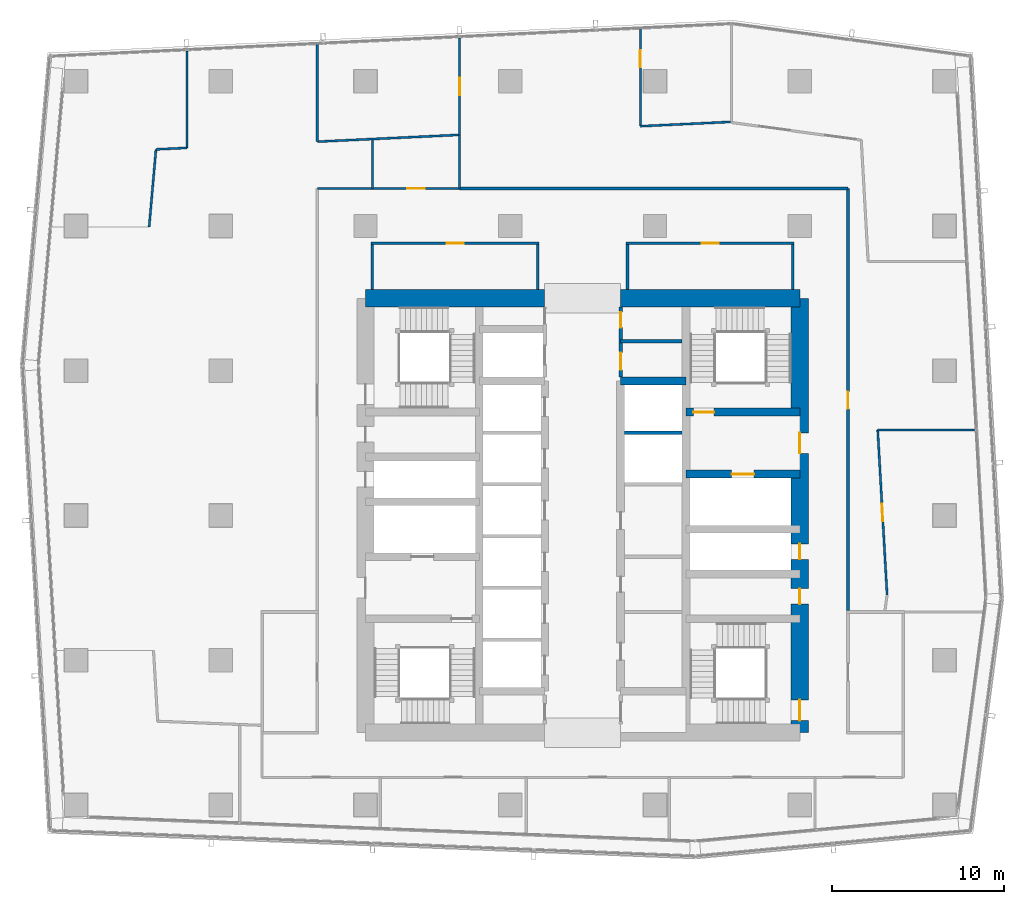
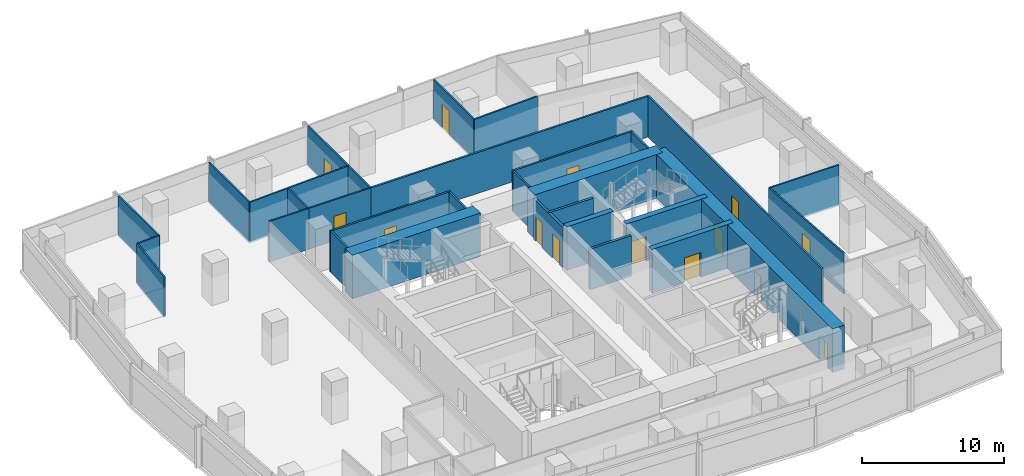
# One storey, part 29 of 40: 31 walls, 15 doors, 15 openings.
"""IFC4 building model written with IfcOpenShell, lengths in metres."""

import ifcopenshell
import ifcopenshell.guid

model = None  # the IFC model being written
_history = None  # IfcOwnerHistory: only IFC2X3 demands one
_inside = {}  # id of a spatial element -> (the spatial element, [elements in it])
_under = {}  # id of a project, library or spatial element -> (it, [spatial elements below it])
_declared = {}  # id of a project -> (the project, [libraries it declares])
_typed = {}  # id of a type object -> (the type object, [elements of that type])
_made_of = {}  # id of a material, layer set ... -> (it, [elements and type objects made of it])


def new_model(schema):
    """Start an empty IFC model of exactly this schema.

    Asked for "IFC4X3", IfcOpenShell would pick the latest addendum, in which some entities
    have other attributes; the version numbers below select the first issue.
    IFC2X3 requires an IfcOwnerHistory on every rooted entity: one is made here for all.
    """
    global model, _history
    if schema == "IFC4X3":
        model = ifcopenshell.file(schema_version=(4, 3, 0, 0))
    else:
        model = ifcopenshell.file(schema=schema)
    _inside.clear()
    _under.clear()
    _declared.clear()
    _typed.clear()
    _made_of.clear()
    _history = None
    if model.schema == "IFC2X3":
        org = make("IfcOrganization", Name="unknown")
        user = make(
            "IfcPersonAndOrganization",
            ThePerson=make("IfcPerson", FamilyName="unknown"),
            TheOrganization=org,
        )
        app = make(
            "IfcApplication",
            ApplicationDeveloper=org,
            Version="unknown",
            ApplicationFullName="unknown",
            ApplicationIdentifier="unknown",
        )
        _history = make(
            "IfcOwnerHistory",
            OwningUser=user,
            OwningApplication=app,
            ChangeAction="ADDED",
            CreationDate=0,
        )
    return model


def make(cls, **values):
    """One entity of the class cls with the attributes given. An attribute that is None is left unset."""
    return model.create_entity(
        cls, **{name: value for name, value in values.items() if value is not None}
    )


def rooted(cls, **values):
    """An entity with a GlobalId (a new one), such as an element, a storey or a relation."""
    return make(cls, GlobalId=ifcopenshell.guid.new(), OwnerHistory=_history, **values)


def si_unit(unit_type, name, prefix=None):
    """IfcSIUnit, for example si_unit("LENGTHUNIT", "METRE", prefix="MILLI")."""
    return make("IfcSIUnit", UnitType=unit_type, Prefix=prefix, Name=name)


def assignment(units):
    """IfcUnitAssignment: the units of a project."""
    return None if units is None else make("IfcUnitAssignment", Units=units)


def point(xyz):
    """IfcCartesianPoint."""
    return None if xyz is None else make("IfcCartesianPoint", Coordinates=xyz)


def direction(xyz):
    """IfcDirection."""
    return None if xyz is None else make("IfcDirection", DirectionRatios=xyz)


def frame(location, z_axis=None, x_axis=None):
    """IfcAxis2Placement3D, a coordinate frame: its origin and axes. An axis left out is left unset."""
    return make(
        "IfcAxis2Placement3D",
        Location=point(location),
        Axis=direction(z_axis),
        RefDirection=direction(x_axis),
    )


def frame_2d(location, x_axis=None):
    """IfcAxis2Placement2D, a coordinate frame in the plane: its origin and x axis."""
    return make(
        "IfcAxis2Placement2D", Location=point(location), RefDirection=direction(x_axis)
    )


def origin():
    """The frame at (0, 0, 0) with its axes left unset."""
    return frame((0.0, 0.0, 0.0))


def place(relative_to, where):
    """IfcLocalPlacement: puts the frame where relative to a parent placement (None: the world)."""
    return make(
        "IfcLocalPlacement", PlacementRelTo=relative_to, RelativePlacement=where
    )


def context(
    kind, dimensions, precision=None, world=None, true_north=None, identifier=None
):
    """IfcGeometricRepresentationContext, for example the 3D "Model" context."""
    return make(
        "IfcGeometricRepresentationContext",
        ContextIdentifier=identifier,
        ContextType=kind,
        CoordinateSpaceDimension=dimensions,
        Precision=precision,
        WorldCoordinateSystem=world,
        TrueNorth=true_north,
    )


def subcontext(parent, identifier, kind, view, scale=None):
    """IfcGeometricRepresentationSubContext, for example "Body" below "Model"."""
    return make(
        "IfcGeometricRepresentationSubContext",
        ContextIdentifier=identifier,
        ContextType=kind,
        ParentContext=parent,
        TargetScale=scale,
        TargetView=view,
    )


def project(units=None, contexts=None):
    """IfcProject with its units and contexts."""
    return rooted(
        "IfcProject",
        Name="project",
        RepresentationContexts=contexts,
        UnitsInContext=assignment(units),
    )


def spatial(cls, under=None, at=None, **own):
    """A site, building, storey or space (cls), placed at a placement, below another one or the project."""
    s = rooted(cls, ObjectPlacement=at, **own)
    if under is not None:
        _under.setdefault(under.id(), (under, []))[1].append(s)
    return s


def profile(cls, at=None, kind="AREA", **sizes):
    """A parametric profile (cls). Its sizes go by their IFC names, for example OverallWidth=200.0."""
    return make(cls, ProfileType=kind, Position=at, **sizes)


def rectangle(**sizes):
    """IfcRectangleProfileDef."""
    return profile("IfcRectangleProfileDef", **sizes)


def extrude(swept, where, along, depth):
    """IfcExtrudedAreaSolid: the profile swept, set in the frame where, extruded along a direction by depth."""
    return make(
        "IfcExtrudedAreaSolid",
        SweptArea=swept,
        Position=where,
        ExtrudedDirection=direction(along),
        Depth=depth,
    )


def shape(context_of_items, identifier, shape_type, items):
    """IfcShapeRepresentation: the items that make up one representation, for example the "Body"."""
    return make(
        "IfcShapeRepresentation",
        ContextOfItems=context_of_items,
        RepresentationIdentifier=identifier,
        RepresentationType=shape_type,
        Items=items,
    )


def material(Name=None, Category=None):
    """IfcMaterial."""
    return make("IfcMaterial", Name=Name, Category=Category)


def layer(
    of_material, thickness, ventilated=None, Name=None, Category=None, Priority=None
):
    """IfcMaterialLayer: one layer of a wall or slab, of a material (None: an air gap)."""
    return make(
        "IfcMaterialLayer",
        Material=of_material,
        LayerThickness=thickness,
        IsVentilated=ventilated,
        Name=Name,
        Category=Category,
        Priority=Priority,
    )


def layer_set(layers, Name=None):
    """IfcMaterialLayerSet."""
    return make("IfcMaterialLayerSet", MaterialLayers=layers, LayerSetName=Name)


def made_of(thing, what):
    """Note that an element or type object is made of a material, layer set ...; save() writes the relation."""
    if what is not None:
        _made_of.setdefault(what.id(), (what, []))[1].append(thing)
    return thing


def type_object(cls, material=None, **own):
    """A type object (cls), such as IfcWallType, which elements share."""
    return made_of(rooted(cls, **own), material)


def element(
    cls,
    number,
    at=None,
    inside=None,
    cuts=None,
    type_object=None,
    material=None,
    context=None,
    identifier="Body",
    shape_type=None,
    held_by="IfcProductDefinitionShape",
    body=None,
    shapes=None,
    **own,
):
    """One element of the class cls, such as IfcWall. Its Tag is "e" and its number.

    at: its placement. inside: the storey or other place that contains it. cuts: it is an
    opening in that element (IfcRelVoidsElement). A single representation is given by context,
    identifier, shape_type and body (its items); several are given by shapes. held_by: the class
    of the entity that holds the representations. save() writes the other relations.
    """
    e = rooted(cls, Tag="e%d" % number, ObjectPlacement=at, **own)
    if body is not None:
        shapes = [shape(context, identifier, shape_type, body)]
    if shapes is not None:
        e.Representation = make(held_by, Representations=shapes)
    if inside is not None:
        _inside.setdefault(inside.id(), (inside, []))[1].append(e)
    if cuts is not None:
        rooted(
            "IfcRelVoidsElement", RelatingBuildingElement=cuts, RelatedOpeningElement=e
        )
    if type_object is not None:
        _typed.setdefault(type_object.id(), (type_object, []))[1].append(e)
    return made_of(e, material)


def fill(opening, filler):
    """IfcRelFillsElement: the door or window that sits in an opening."""
    return rooted(
        "IfcRelFillsElement",
        RelatingOpeningElement=opening,
        RelatedBuildingElement=filler,
    )


def aggregate(whole, parts):
    """IfcRelAggregates: a whole, such as a stair, and the parts it consists of."""
    return rooted("IfcRelAggregates", RelatingObject=whole, RelatedObjects=parts)


def save(model, path):
    """Write the relations noted so far, then the file.

    IfcRelAggregates (storeys below a building ...), IfcRelContainedInSpatialStructure (elements
    in a storey), IfcRelDefinesByType, IfcRelAssociatesMaterial and IfcRelDeclares: one each for
    every whole, place, type object, material and project.
    """
    for whole, parts in _under.values():
        aggregate(whole, parts)
    for where, things in _inside.values():
        rooted(
            "IfcRelContainedInSpatialStructure",
            RelatedElements=things,
            RelatingStructure=where,
        )
    for kind, things in _typed.values():
        rooted("IfcRelDefinesByType", RelatedObjects=things, RelatingType=kind)
    for what, things in _made_of.values():
        rooted("IfcRelAssociatesMaterial", RelatedObjects=things, RelatingMaterial=what)
    for by, libraries in _declared.values():
        rooted("IfcRelDeclares", RelatingContext=by, RelatedDefinitions=libraries)
    model.write(path)


model = new_model("IFC4")

# Units and contexts
model_context = context("Model", 3, precision=1e-05, world=origin(), true_north=direction((0.0, 1.0)))
body_context = subcontext(model_context, "Body", "Model", "MODEL_VIEW")
ifc_project = project(units=[si_unit("LENGTHUNIT", "METRE"), si_unit("AREAUNIT", "SQUARE_METRE"), si_unit("VOLUMEUNIT", "CUBIC_METRE"), si_unit("PLANEANGLEUNIT", "RADIAN"), si_unit("MASSUNIT", "GRAM", prefix="KILO")], contexts=[model_context])

# Site, building, storey
site_placement = place(None, origin())
site = spatial("IfcSite", under=ifc_project, at=site_placement, CompositionType="ELEMENT")
building_placement = place(site_placement, origin())
building = spatial("IfcBuilding", under=site, at=building_placement, Name="Rekha Terrace Tower", CompositionType="ELEMENT")
storey_placement = place(building_placement, frame((0.0, 0.0, 213.949951171875)))
storey = spatial("IfcBuildingStorey", under=building, at=storey_placement, Name="L54", CompositionType="ELEMENT", Elevation=213.949951171875)

# Wall
ifc_material_1 = material(Name="Concrete M60", Category="concrete")
ifc_layer_1 = layer(ifc_material_1, 0.449951171875)
ifc_layer_set_1 = layer_set([ifc_layer_1], Name="Concrete M60")
wall_type_1 = type_object("IfcWallType", Name="CI3 450 core internal shear wall", PredefinedType="SHEAR", material=ifc_layer_set_1)
wall_1_placement = place(storey_placement, frame((40.0, 41.39990234375, 0.0), z_axis=(0.0, 0.0, 1.0), x_axis=(1.0, 0.0, 0.0)))
element("IfcWall", 1, at=wall_1_placement, inside=storey, type_object=wall_type_1, Name="Core wall Y414E L54", PredefinedType="SHEAR", context=body_context, shape_type="SweptSolid", body=[
    extrude(rectangle(XDim=3.800048828125, YDim=0.449951171875, at=frame_2d((1.89990234375, 0.0))), origin(), (0.0, 0.0, 1.0), 3.75),
])

# Wall, opening, door
wall_2_placement = place(storey_placement, frame((43.800048828125, 36.0, 0.0), z_axis=(0.0, 0.0, 1.0), x_axis=(1.0, 0.0, 0.0)))
wall_2 = element("IfcWall", 2, at=wall_2_placement, inside=storey, type_object=wall_type_1, Name="Core wall Y360E L54", PredefinedType="SHEAR", context=body_context, shape_type="SweptSolid", body=[
    extrude(rectangle(XDim=6.599853515625, YDim=0.449951171875, at=frame_2d((3.2998046875, 0.0))), origin(), (0.0, 0.0, 1.0), 3.75),
])
opening_1_placement = place(wall_2_placement, frame((2.64990234375, 0.0, 0.0)))
opening_1 = element("IfcOpeningElement", 3, at=opening_1_placement, cuts=wall_2, Name="Opening LD2", PredefinedType="OPENING", context=body_context, shape_type="SweptSolid", body=[
    extrude(rectangle(XDim=1.300048828125, YDim=2.10009765625, at=frame_2d((0.64990234375, 1.050048828125))), frame((0.0, 0.23486328125, 0.0), z_axis=(0.0, -1.0, 0.0), x_axis=(1.0, 0.0, 0.0)), (0.0, 0.0, 1.0), 0.469970703125),
])
ifc_material_2 = material(Name="Stainless steel sliding landing door", Category="steel")
door_type_1 = type_object("IfcDoorType", Name="LD2 1300x2100 fire lift landing door", OperationType="SLIDING_TO_LEFT", PredefinedType="USERDEFINED", material=ifc_material_2)
door_1_placement = place(opening_1_placement, origin())
door_1 = element("IfcDoor", 4, at=door_1_placement, inside=storey, type_object=door_type_1, Name="Lift FL2 landing door L54", ObjectType="LIFT LANDING DOOR", OperationType="SLIDING_TO_LEFT", OverallHeight=2.10009765625, OverallWidth=1.300048828125, PredefinedType="USERDEFINED", context=body_context, shape_type="SweptSolid", body=[
    extrude(rectangle(XDim=1.300048828125, YDim=2.10009765625, at=frame_2d((0.64990234375, 1.050048828125))), frame((0.0, 0.02490234375, 0.0), z_axis=(0.0, -1.0, 0.0), x_axis=(1.0, 0.0, 0.0)), (0.0, 0.0, 1.0), 0.050048828125),
])
fill(opening_1, door_1)

wall_3_placement = place(storey_placement, frame((43.800048828125, 39.60009765625, 0.0), z_axis=(0.0, 0.0, 1.0), x_axis=(1.0, 0.0, 0.0)))
wall_3 = element("IfcWall", 5, at=wall_3_placement, inside=storey, type_object=wall_type_1, Name="Core wall Y396E L54", PredefinedType="SHEAR", context=body_context, shape_type="SweptSolid", body=[
    extrude(rectangle(XDim=6.599853515625, YDim=0.449951171875, at=frame_2d((3.2998046875, 0.0))), origin(), (0.0, 0.0, 1.0), 3.75),
])
opening_2_placement = place(wall_3_placement, frame((0.425048828125, 0.0, 0.0)))
opening_2 = element("IfcOpeningElement", 6, at=opening_2_placement, cuts=wall_3, Name="Opening D1", PredefinedType="OPENING", context=body_context, shape_type="SweptSolid", body=[
    extrude(rectangle(XDim=1.199951171875, YDim=2.10009765625, at=frame_2d((0.60009765625, 1.050048828125))), frame((0.0, 0.23486328125, 0.0), z_axis=(0.0, -1.0, 0.0), x_axis=(1.0, 0.0, 0.0)), (0.0, 0.0, 1.0), 0.469970703125),
])
ifc_material_3 = material(Name="Steel fire door", Category="steel")
door_type_2 = type_object("IfcDoorType", Name="D1 1200x2100 stair fire door", OperationType="SINGLE_SWING_RIGHT", PredefinedType="DOOR", material=ifc_material_3)
door_2_placement = place(opening_2_placement, origin())
door_2 = element("IfcDoor", 7, at=door_2_placement, inside=storey, type_object=door_type_2, Name="Stair ST2 door L54", OperationType="SINGLE_SWING_RIGHT", OverallHeight=2.10009765625, OverallWidth=1.199951171875, PredefinedType="DOOR", context=body_context, shape_type="SweptSolid", body=[
    extrude(rectangle(XDim=1.199951171875, YDim=2.10009765625, at=frame_2d((0.60009765625, 1.050048828125))), frame((0.0, 0.02490234375, 0.0), z_axis=(0.0, -1.0, 0.0), x_axis=(1.0, 0.0, 0.0)), (0.0, 0.0, 1.0), 0.050048828125),
])
fill(opening_2, door_2)

# Walls
ifc_layer_2 = layer(ifc_material_1, 1.0)
ifc_layer_set_2 = layer_set([ifc_layer_2], Name="Concrete M60")
wall_type_2 = type_object("IfcWallType", Name="SW3 1000 core outer shear wall", PredefinedType="SHEAR", material=ifc_layer_set_2)
wall_4_placement = place(storey_placement, frame((25.199951171875, 46.199951171875, 0.0), z_axis=(0.0, 0.0, 1.0), x_axis=(1.0, 0.0, 0.0)))
element("IfcWall", 8, at=wall_4_placement, inside=storey, type_object=wall_type_2, Name="Core wall N1 L54", PredefinedType="SHEAR", context=body_context, shape_type="SweptSolid", body=[
    extrude(rectangle(XDim=10.400146484375, YDim=1.0, at=frame_2d((5.2001953125, 0.0))), origin(), (0.0, 0.0, 1.0), 3.75),
])
wall_5_placement = place(storey_placement, frame((40.0, 46.199951171875, 0.0), z_axis=(0.0, 0.0, 1.0), x_axis=(1.0, 0.0, 0.0)))
element("IfcWall", 9, at=wall_5_placement, inside=storey, type_object=wall_type_2, Name="Core wall N2 L54", PredefinedType="SHEAR", context=body_context, shape_type="SweptSolid", body=[
    extrude(rectangle(XDim=10.39990234375, YDim=1.0, at=frame_2d((5.199951171875, 0.0))), origin(), (0.0, 0.0, 1.0), 3.75),
])

# Wall, openings, doors
wall_6_placement = place(storey_placement, frame((50.39990234375, 21.0, 0.0), z_axis=(0.0, 0.0, 1.0), x_axis=(0.0, 1.0, 0.0)))
wall_6 = element("IfcWall", 10, at=wall_6_placement, inside=storey, type_object=wall_type_2, Name="Core wall E L54", PredefinedType="SHEAR", context=body_context, shape_type="SweptSolid", body=[
    extrude(rectangle(XDim=25.199951171875, YDim=1.0, at=frame_2d((12.60009765625, 0.0))), origin(), (0.0, 0.0, 1.0), 3.75),
])
opening_3_placement = place(wall_6_placement, frame((16.199951171875, 0.0, 0.0)))
opening_3 = element("IfcOpeningElement", 11, at=opening_3_placement, cuts=wall_6, Name="Opening D2", PredefinedType="OPENING", context=body_context, shape_type="SweptSolid", body=[
    extrude(rectangle(XDim=1.199951171875, YDim=2.10009765625, at=frame_2d((0.60009765625, 1.050048828125))), frame((0.0, 0.510009765625, 0.0), z_axis=(0.0, -1.0, 0.0), x_axis=(1.0, 0.0, 0.0)), (0.0, 0.0, 1.0), 1.02001953125),
])
opening_4_placement = place(wall_6_placement, frame((10.050048828125, 0.0, 0.0)))
opening_4 = element("IfcOpeningElement", 12, at=opening_4_placement, cuts=wall_6, Name="Opening D5", PredefinedType="OPENING", context=body_context, shape_type="SweptSolid", body=[
    extrude(rectangle(XDim=0.89990234375, YDim=2.10009765625, at=frame_2d((0.449951171875, 1.050048828125))), frame((0.0, 0.510009765625, 0.0), z_axis=(0.0, -1.0, 0.0), x_axis=(1.0, 0.0, 0.0)), (0.0, 0.0, 1.0), 1.02001953125),
])
opening_5_placement = place(wall_6_placement, frame((7.449951171875, 0.0, 0.0)))
opening_5 = element("IfcOpeningElement", 13, at=opening_5_placement, cuts=wall_6, Name="Opening D5", PredefinedType="OPENING", context=body_context, shape_type="SweptSolid", body=[
    extrude(rectangle(XDim=0.89990234375, YDim=2.10009765625, at=frame_2d((0.449951171875, 1.050048828125))), frame((0.0, 0.510009765625, 0.0), z_axis=(0.0, -1.0, 0.0), x_axis=(1.0, 0.0, 0.0)), (0.0, 0.0, 1.0), 1.02001953125),
])
opening_6_placement = place(wall_6_placement, frame((0.699951171875, 0.0, 0.0)))
opening_6 = element("IfcOpeningElement", 14, at=opening_6_placement, cuts=wall_6, Name="Opening D1", PredefinedType="OPENING", context=body_context, shape_type="SweptSolid", body=[
    extrude(rectangle(XDim=1.199951171875, YDim=2.10009765625, at=frame_2d((0.60009765625, 1.050048828125))), frame((0.0, 0.510009765625, 0.0), z_axis=(0.0, -1.0, 0.0), x_axis=(1.0, 0.0, 0.0)), (0.0, 0.0, 1.0), 1.02001953125),
])
door_3_placement = place(opening_6_placement, origin())
door_3 = element("IfcDoor", 15, at=door_3_placement, inside=storey, type_object=door_type_2, Name="Stair ST3 door L54", OperationType="SINGLE_SWING_RIGHT", OverallHeight=2.10009765625, OverallWidth=1.199951171875, PredefinedType="DOOR", context=body_context, shape_type="SweptSolid", body=[
    extrude(rectangle(XDim=1.199951171875, YDim=2.10009765625, at=frame_2d((0.60009765625, 1.050048828125))), frame((0.0, 0.02490234375, 0.0), z_axis=(0.0, -1.0, 0.0), x_axis=(1.0, 0.0, 0.0)), (0.0, 0.0, 1.0), 0.050048828125),
])
fill(opening_6, door_3)
door_type_3 = type_object("IfcDoorType", Name="D2 1200x2100 firefighting lobby door", OperationType="SINGLE_SWING_LEFT", PredefinedType="DOOR", material=ifc_material_3)
door_4_placement = place(opening_3_placement, origin())
door_4 = element("IfcDoor", 16, at=door_4_placement, inside=storey, type_object=door_type_3, Name="Door flb2 L54", OperationType="SINGLE_SWING_LEFT", OverallHeight=2.10009765625, OverallWidth=1.199951171875, PredefinedType="DOOR", context=body_context, shape_type="SweptSolid", body=[
    extrude(rectangle(XDim=1.199951171875, YDim=2.10009765625, at=frame_2d((0.60009765625, 1.050048828125))), frame((0.0, 0.02490234375, 0.0), z_axis=(0.0, -1.0, 0.0), x_axis=(1.0, 0.0, 0.0)), (0.0, 0.0, 1.0), 0.050048828125),
])
fill(opening_3, door_4)
door_type_4 = type_object("IfcDoorType", Name="D5 900x2100 riser access door", OperationType="SINGLE_SWING_LEFT", PredefinedType="DOOR", material=ifc_material_3)
door_5_placement = place(opening_4_placement, origin())
door_5 = element("IfcDoor", 17, at=door_5_placement, inside=storey, type_object=door_type_4, Name="Door rs2 L54", OperationType="SINGLE_SWING_LEFT", OverallHeight=2.10009765625, OverallWidth=0.89990234375, PredefinedType="DOOR", context=body_context, shape_type="SweptSolid", body=[
    extrude(rectangle(XDim=0.89990234375, YDim=2.10009765625, at=frame_2d((0.449951171875, 1.050048828125))), frame((0.0, 0.02490234375, 0.0), z_axis=(0.0, -1.0, 0.0), x_axis=(1.0, 0.0, 0.0)), (0.0, 0.0, 1.0), 0.050048828125),
])
fill(opening_4, door_5)
door_6_placement = place(opening_5_placement, origin())
door_6 = element("IfcDoor", 18, at=door_6_placement, inside=storey, type_object=door_type_4, Name="Door ele L54", OperationType="SINGLE_SWING_LEFT", OverallHeight=2.10009765625, OverallWidth=0.89990234375, PredefinedType="DOOR", context=body_context, shape_type="SweptSolid", body=[
    extrude(rectangle(XDim=0.89990234375, YDim=2.10009765625, at=frame_2d((0.449951171875, 1.050048828125))), frame((0.0, 0.02490234375, 0.0), z_axis=(0.0, -1.0, 0.0), x_axis=(1.0, 0.0, 0.0)), (0.0, 0.0, 1.0), 0.050048828125),
])
fill(opening_5, door_6)

# Wall, opening, door
ifc_material_4 = material(Name="Concrete block masonry, 1 hour", Category="masonry")
ifc_layer_3 = layer(ifc_material_4, 0.14990234375)
ifc_layer_set_3 = layer_set([ifc_layer_3], Name="Concrete block masonry, 1 hour")
wall_type_3 = type_object("IfcWallType", Name="WP2 150 tenancy partition", PredefinedType="PARTITIONING", material=ifc_layer_set_3)
wall_7_placement = place(storey_placement, frame((40.324951171875, 49.39990234375, 0.0), z_axis=(0.0, 0.0, 1.0), x_axis=(1.0, 0.0, 0.0)))
wall_7 = element("IfcWall", 19, at=wall_7_placement, inside=storey, type_object=wall_type_3, Name="Women's WC wall L54", PredefinedType="PARTITIONING", context=body_context, shape_type="SweptSolid", body=[
    extrude(rectangle(XDim=9.75, YDim=0.14990234375, at=frame_2d((4.875, 0.0))), origin(), (0.0, 0.0, 1.0), 3.5),
])
opening_7_placement = place(wall_7_placement, frame((4.375, 0.0, 0.0)))
opening_7 = element("IfcOpeningElement", 20, at=opening_7_placement, cuts=wall_7, Name="Opening D3", PredefinedType="OPENING", context=body_context, shape_type="SweptSolid", body=[
    extrude(rectangle(XDim=1.0, YDim=2.10009765625, at=frame_2d((0.5, 1.050048828125))), frame((0.0, 0.0849609375, 0.0), z_axis=(0.0, -1.0, 0.0), x_axis=(1.0, 0.0, 0.0)), (0.0, 0.0, 1.0), 0.169921875),
])
ifc_material_5 = material(Name="Laminated timber fire door", Category="wood")
door_type_5 = type_object("IfcDoorType", Name="D3 1000x2100 WC door", OperationType="SINGLE_SWING_LEFT", PredefinedType="DOOR", material=ifc_material_5)
door_7_placement = place(opening_7_placement, origin())
door_7 = element("IfcDoor", 21, at=door_7_placement, inside=storey, type_object=door_type_5, Name="Door women's wc L54", OperationType="SINGLE_SWING_LEFT", OverallHeight=2.10009765625, OverallWidth=1.0, PredefinedType="DOOR", context=body_context, shape_type="SweptSolid", body=[
    extrude(rectangle(XDim=1.0, YDim=2.10009765625, at=frame_2d((0.5, 1.050048828125))), frame((0.0, 0.02490234375, 0.0), z_axis=(0.0, -1.0, 0.0), x_axis=(1.0, 0.0, 0.0)), (0.0, 0.0, 1.0), 0.050048828125),
])
fill(opening_7, door_7)

# Walls
for number, where, z_axis, x_axis, name in (
    (22, (40.39990234375, 46.699951171875, 0.0), (0.0, 0.0, 1.0), (0.0, 1.0, 0.0), "Women's WC wall L54"),
    (23, (50.0, 46.699951171875, 0.0), (0.0, 0.0, 1.0), (0.0, 1.0, 0.0), "Women's WC wall L54"),
):
    element("IfcWall", number, at=place(storey_placement, frame(where, z_axis=z_axis, x_axis=x_axis)), inside=storey, type_object=wall_type_3, Name=name, PredefinedType="PARTITIONING", context=body_context, shape_type="SweptSolid", body=[
        extrude(rectangle(XDim=2.625, YDim=0.14990234375, at=frame_2d((1.3125, 0.0))), origin(), (0.0, 0.0, 1.0), 3.5),
    ])

# Wall, opening, door
wall_8_placement = place(storey_placement, frame((25.52490234375, 49.39990234375, 0.0), z_axis=(0.0, 0.0, 1.0), x_axis=(1.0, 0.0, 0.0)))
wall_8 = element("IfcWall", 24, at=wall_8_placement, inside=storey, type_object=wall_type_3, Name="Women's WC wall L54", PredefinedType="PARTITIONING", context=body_context, shape_type="SweptSolid", body=[
    extrude(rectangle(XDim=9.75, YDim=0.14990234375, at=frame_2d((4.875, 0.0))), origin(), (0.0, 0.0, 1.0), 3.5),
])
opening_8_placement = place(wall_8_placement, frame((4.375, 0.0, 0.0)))
opening_8 = element("IfcOpeningElement", 25, at=opening_8_placement, cuts=wall_8, Name="Opening D3", PredefinedType="OPENING", context=body_context, shape_type="SweptSolid", body=[
    extrude(rectangle(XDim=1.0, YDim=2.10009765625, at=frame_2d((0.5, 1.050048828125))), frame((0.0, 0.0849609375, 0.0), z_axis=(0.0, -1.0, 0.0), x_axis=(1.0, 0.0, 0.0)), (0.0, 0.0, 1.0), 0.169921875),
])
door_8_placement = place(opening_8_placement, origin())
door_8 = element("IfcDoor", 26, at=door_8_placement, inside=storey, type_object=door_type_5, Name="Door women's wc L54", OperationType="SINGLE_SWING_LEFT", OverallHeight=2.10009765625, OverallWidth=1.0, PredefinedType="DOOR", context=body_context, shape_type="SweptSolid", body=[
    extrude(rectangle(XDim=1.0, YDim=2.10009765625, at=frame_2d((0.5, 1.050048828125))), frame((0.0, 0.02490234375, 0.0), z_axis=(0.0, -1.0, 0.0), x_axis=(1.0, 0.0, 0.0)), (0.0, 0.0, 1.0), 0.050048828125),
])
fill(opening_8, door_8)

# Walls
for number, where, z_axis, x_axis, name in (
    (27, (25.60009765625, 46.699951171875, 0.0), (0.0, 0.0, 1.0), (0.0, 1.0, 0.0), "Women's WC wall L54"),
    (28, (35.199951171875, 46.699951171875, 0.0), (0.0, 0.0, 1.0), (0.0, 1.0, 0.0), "Women's WC wall L54"),
):
    element("IfcWall", number, at=place(storey_placement, frame(where, z_axis=z_axis, x_axis=x_axis)), inside=storey, type_object=wall_type_3, Name=name, PredefinedType="PARTITIONING", context=body_context, shape_type="SweptSolid", body=[
        extrude(rectangle(XDim=2.625, YDim=0.14990234375, at=frame_2d((1.3125, 0.0))), origin(), (0.0, 0.0, 1.0), 3.5),
    ])

# Wall, opening, door
wall_9_placement = place(storey_placement, frame((53.199951171875, 28.074951171875, 0.0), z_axis=(0.0, 0.0, 1.0), x_axis=(0.0, 1.0, 0.0)))
wall_9 = element("IfcWall", 29, at=wall_9_placement, inside=storey, type_object=wall_type_3, Name="Partition L54-O1", PredefinedType="PARTITIONING", context=body_context, shape_type="SweptSolid", body=[
    extrude(rectangle(XDim=24.5, YDim=0.14990234375, at=frame_2d((12.25, 0.0))), origin(), (0.0, 0.0, 1.0), 3.5),
])
opening_9_placement = place(wall_9_placement, frame((11.712890625, 0.0, 0.0)))
opening_9 = element("IfcOpeningElement", 30, at=opening_9_placement, cuts=wall_9, Name="Opening D9", PredefinedType="OPENING", context=body_context, shape_type="SweptSolid", body=[
    extrude(rectangle(XDim=1.0, YDim=2.10009765625, at=frame_2d((0.5, 1.050048828125))), frame((0.0, 0.0849609375, 0.0), z_axis=(0.0, -1.0, 0.0), x_axis=(1.0, 0.0, 0.0)), (0.0, 0.0, 1.0), 0.169921875),
])
ifc_material_6 = material(Name="Timber fire door", Category="wood")
door_type_6 = type_object("IfcDoorType", Name="D9 1000x2100 office door", OperationType="SINGLE_SWING_LEFT", PredefinedType="DOOR", material=ifc_material_6)
door_9_placement = place(opening_9_placement, origin())
door_9 = element("IfcDoor", 31, at=door_9_placement, inside=storey, type_object=door_type_6, Name="Door open-plan office L54", OperationType="SINGLE_SWING_LEFT", OverallHeight=2.10009765625, OverallWidth=1.0, PredefinedType="DOOR", context=body_context, shape_type="SweptSolid", body=[
    extrude(rectangle(XDim=1.0, YDim=2.10009765625, at=frame_2d((0.5, 1.050048828125))), frame((0.0, 0.02490234375, 0.0), z_axis=(0.0, -1.0, 0.0), x_axis=(1.0, 0.0, 0.0)), (0.0, 0.0, 1.0), 0.050048828125),
])
fill(opening_9, door_9)

# Wall
wall_10_placement = place(storey_placement, frame((53.199951171875, 52.574951171875, 0.0), z_axis=(0.0, 0.0, 1.0), x_axis=(-1.0, 0.0, 0.0)))
element("IfcWall", 32, at=wall_10_placement, inside=storey, type_object=wall_type_3, Name="Partition L54-O1", PredefinedType="PARTITIONING", context=body_context, shape_type="SweptSolid", body=[
    extrude(rectangle(XDim=22.5390625, YDim=0.14990234375, at=frame_2d((11.26953125, 0.0))), origin(), (0.0, 0.0, 1.0), 3.5),
])

# Wall, opening, door
ifc_material_7 = material(Name="Two layers of fire-rated gypsum board each side on steel studs, acoustic quilt, 1 hour", Category="steel")
ifc_layer_4 = layer(ifc_material_7, 0.125)
ifc_layer_set_4 = layer_set([ifc_layer_4], Name="Two layers of fire-rated gypsum board each side on steel studs, acoustic quilt, 1 hour")
wall_type_4 = type_object("IfcWallType", Name="WP3 125 office partition", PredefinedType="PARTITIONING", material=ifc_layer_set_4)
wall_11_placement = place(storey_placement, frame((55.465087890625, 28.9951171875, 0.0), z_axis=(0.0, 0.0, 1.0), x_axis=(-0.056705607074, 0.99839094253, 0.0)))
wall_11 = element("IfcWall", 33, at=wall_11_placement, inside=storey, type_object=wall_type_4, Name="Partition L54-05", PredefinedType="PARTITIONING", context=body_context, shape_type="SweptSolid", body=[
    extrude(rectangle(XDim=9.5751953125, YDim=0.125, at=frame_2d((4.78759765625, 0.0))), origin(), (0.0, 0.0, 1.0), 3.5),
])
opening_10_placement = place(wall_11_placement, frame((4.2880859375, 0.0, 0.0)))
opening_10 = element("IfcOpeningElement", 34, at=opening_10_placement, cuts=wall_11, Name="Opening D9", PredefinedType="OPENING", context=body_context, shape_type="SweptSolid", body=[
    extrude(rectangle(XDim=1.0, YDim=2.10009765625, at=frame_2d((0.5, 1.050048828125))), frame((0.0, 0.072509765625, 0.0), z_axis=(0.0, -1.0, 0.0), x_axis=(1.0, 0.0, 0.0)), (0.0, 0.0, 1.0), 0.14501953125),
])
door_10_placement = place(opening_10_placement, origin())
door_10 = element("IfcDoor", 35, at=door_10_placement, inside=storey, type_object=door_type_6, Name="Door office L54", OperationType="SINGLE_SWING_LEFT", OverallHeight=2.10009765625, OverallWidth=1.0, PredefinedType="DOOR", context=body_context, shape_type="SweptSolid", body=[
    extrude(rectangle(XDim=1.0, YDim=2.10009765625, at=frame_2d((0.5, 1.050048828125))), frame((0.0, 0.02490234375, 0.0), z_axis=(0.0, -1.0, 0.0), x_axis=(1.0, 0.0, 0.0)), (0.0, 0.0, 1.0), 0.050048828125),
])
fill(opening_10, door_10)

# Wall
wall_12_placement = place(storey_placement, frame((54.922119140625, 38.554931640625, 0.0), z_axis=(0.0, 0.0, 1.0), x_axis=(1.0, 0.0, 0.0)))
element("IfcWall", 36, at=wall_12_placement, inside=storey, type_object=wall_type_4, Name="Partition L54-05", PredefinedType="PARTITIONING", context=body_context, shape_type="SweptSolid", body=[
    extrude(rectangle(XDim=5.62890625, YDim=0.125, at=frame_2d((2.814453125, 0.0))), origin(), (0.0, 0.0, 1.0), 3.5),
])

# Wall, opening, door
wall_13_placement = place(storey_placement, frame((41.152099609375, 56.18798828125, 0.0), z_axis=(0.0, 0.0, 1.0), x_axis=(0.0, 1.0, 0.0)))
wall_13 = element("IfcWall", 37, at=wall_13_placement, inside=storey, type_object=wall_type_4, Name="Partition L54-07", PredefinedType="PARTITIONING", context=body_context, shape_type="SweptSolid", body=[
    extrude(rectangle(XDim=5.656982421875, YDim=0.125, at=frame_2d((2.82861328125, 0.0))), origin(), (0.0, 0.0, 1.0), 3.5),
])
opening_11_placement = place(wall_13_placement, frame((3.4130859375, 0.0, 0.0)))
opening_11 = element("IfcOpeningElement", 38, at=opening_11_placement, cuts=wall_13, Name="Opening D9", PredefinedType="OPENING", context=body_context, shape_type="SweptSolid", body=[
    extrude(rectangle(XDim=1.0, YDim=2.10009765625, at=frame_2d((0.5, 1.050048828125))), frame((0.0, 0.072509765625, 0.0), z_axis=(0.0, -1.0, 0.0), x_axis=(1.0, 0.0, 0.0)), (0.0, 0.0, 1.0), 0.14501953125),
])
door_11_placement = place(opening_11_placement, origin())
door_11 = element("IfcDoor", 39, at=door_11_placement, inside=storey, type_object=door_type_6, Name="Door office L54", OperationType="SINGLE_SWING_LEFT", OverallHeight=2.10009765625, OverallWidth=1.0, PredefinedType="DOOR", context=body_context, shape_type="SweptSolid", body=[
    extrude(rectangle(XDim=1.0, YDim=2.10009765625, at=frame_2d((0.5, 1.050048828125))), frame((0.0, 0.02490234375, 0.0), z_axis=(0.0, -1.0, 0.0), x_axis=(1.0, 0.0, 0.0)), (0.0, 0.0, 1.0), 0.050048828125),
])
fill(opening_11, door_11)

# Wall
wall_14_placement = place(storey_placement, frame((46.383056640625, 56.43798828125, 0.0), z_axis=(0.0, 0.0, 1.0), x_axis=(-0.998859895891, -0.047737913441, 0.0)))
element("IfcWall", 40, at=wall_14_placement, inside=storey, type_object=wall_type_4, Name="Partition L54-07", PredefinedType="PARTITIONING", context=body_context, shape_type="SweptSolid", body=[
    extrude(rectangle(XDim=5.23681640625, YDim=0.125, at=frame_2d((2.618408203125, 0.0))), origin(), (0.0, 0.0, 1.0), 3.5),
])

# Wall, opening, door
wall_15_placement = place(storey_placement, frame((30.660888671875, 61.31298828125, 0.0), z_axis=(0.0, 0.0, 1.0), x_axis=(0.0, -1.0, 0.0)))
wall_15 = element("IfcWall", 41, at=wall_15_placement, inside=storey, type_object=wall_type_4, Name="Partition L54-08", PredefinedType="PARTITIONING", context=body_context, shape_type="SweptSolid", body=[
    extrude(rectangle(XDim=5.626953125, YDim=0.125, at=frame_2d((2.8134765625, 0.0))), origin(), (0.0, 0.0, 1.0), 3.5),
])
opening_12_placement = place(wall_15_placement, frame((2.31396484375, 0.0, 0.0)))
opening_12 = element("IfcOpeningElement", 42, at=opening_12_placement, cuts=wall_15, Name="Opening D9", PredefinedType="OPENING", context=body_context, shape_type="SweptSolid", body=[
    extrude(rectangle(XDim=1.0, YDim=2.10009765625, at=frame_2d((0.5, 1.050048828125))), frame((0.0, 0.072509765625, 0.0), z_axis=(0.0, -1.0, 0.0), x_axis=(1.0, 0.0, 0.0)), (0.0, 0.0, 1.0), 0.14501953125),
])
door_12_placement = place(opening_12_placement, origin())
door_12 = element("IfcDoor", 43, at=door_12_placement, inside=storey, type_object=door_type_6, Name="Door office L54", OperationType="SINGLE_SWING_LEFT", OverallHeight=2.10009765625, OverallWidth=1.0, PredefinedType="DOOR", context=body_context, shape_type="SweptSolid", body=[
    extrude(rectangle(XDim=1.0, YDim=2.10009765625, at=frame_2d((0.5, 1.050048828125))), frame((0.0, 0.02490234375, 0.0), z_axis=(0.0, -1.0, 0.0), x_axis=(1.0, 0.0, 0.0)), (0.0, 0.0, 1.0), 0.050048828125),
])
fill(opening_12, door_12)

# Walls
wall_16_placement = place(storey_placement, frame((30.660888671875, 55.68603515625, 0.0), z_axis=(0.0, 0.0, 1.0), x_axis=(-0.998858431805, -0.047768537897, 0.0)))
element("IfcWall", 44, at=wall_16_placement, inside=storey, type_object=wall_type_4, Name="Partition L54-08", PredefinedType="PARTITIONING", context=body_context, shape_type="SweptSolid", body=[
    extrude(rectangle(XDim=8.26953125, YDim=0.125, at=frame_2d((4.134765625, 0.0))), origin(), (0.0, 0.0, 1.0), 3.5),
])
wall_17_placement = place(storey_placement, frame((22.40087890625, 55.291015625, 0.0), z_axis=(0.0, 0.0, 1.0), x_axis=(0.0, 1.0, 0.0)))
element("IfcWall", 45, at=wall_17_placement, inside=storey, type_object=wall_type_4, Name="Partition L54-08", PredefinedType="PARTITIONING", context=body_context, shape_type="SweptSolid", body=[
    extrude(rectangle(XDim=5.656982421875, YDim=0.125, at=frame_2d((2.82861328125, 0.0))), origin(), (0.0, 0.0, 1.0), 3.5),
])
wall_18_placement = place(storey_placement, frame((14.842041015625, 60.556884765625, 0.0), z_axis=(0.0, 0.0, 1.0), x_axis=(0.0, -1.0, 0.0)))
element("IfcWall", 46, at=wall_18_placement, inside=storey, type_object=wall_type_4, Name="Partition L54-09", PredefinedType="PARTITIONING", context=body_context, shape_type="SweptSolid", body=[
    extrude(rectangle(XDim=5.626953125, YDim=0.125, at=frame_2d((2.8134765625, 0.0))), origin(), (0.0, 0.0, 1.0), 3.5),
])
wall_19_placement = place(storey_placement, frame((14.842041015625, 54.929931640625, 0.0), z_axis=(0.0, 0.0, 1.0), x_axis=(-0.998863537959, -0.047661646382, 0.0)))
element("IfcWall", 47, at=wall_19_placement, inside=storey, type_object=wall_type_4, Name="Partition L54-09", PredefinedType="PARTITIONING", context=body_context, shape_type="SweptSolid", body=[
    extrude(rectangle(XDim=1.802978515625, YDim=0.125, at=frame_2d((0.9013671875, 0.0))), origin(), (0.0, 0.0, 1.0), 3.5),
])
wall_20_placement = place(storey_placement, frame((13.041015625, 54.843994140625, 0.0), z_axis=(0.0, 0.0, 1.0), x_axis=(-0.087857629893, -0.996133041752, 0.0)))
element("IfcWall", 48, at=wall_20_placement, inside=storey, type_object=wall_type_4, Name="Partition L54-09", PredefinedType="PARTITIONING", context=body_context, shape_type="SweptSolid", body=[
    extrude(rectangle(XDim=4.529541015625, YDim=0.125, at=frame_2d((2.2646484375, 0.0))), origin(), (0.0, 0.0, 1.0), 3.5),
])
wall_21_placement = place(storey_placement, frame((25.60009765625, 52.574951171875, 0.0), z_axis=(0.0, 0.0, 1.0), x_axis=(-1.0, 0.0, 0.0)))
element("IfcWall", 49, at=wall_21_placement, inside=storey, type_object=wall_type_4, Name="Partition L54-15", PredefinedType="PARTITIONING", context=body_context, shape_type="SweptSolid", body=[
    extrude(rectangle(XDim=3.2001953125, YDim=0.125, at=frame_2d((1.60009765625, 0.0))), origin(), (0.0, 0.0, 1.0), 3.5),
])
wall_22_placement = place(storey_placement, frame((25.60009765625, 55.381103515625, 0.0), z_axis=(0.0, 0.0, 1.0), x_axis=(0.0, -1.0, 0.0)))
element("IfcWall", 50, at=wall_22_placement, inside=storey, type_object=wall_type_4, Name="Partition L54-15", PredefinedType="PARTITIONING", context=body_context, shape_type="SweptSolid", body=[
    extrude(rectangle(XDim=2.80615234375, YDim=0.125, at=frame_2d((1.403076171875, 0.0))), origin(), (0.0, 0.0, 1.0), 3.5),
])

# Wall, opening, door
wall_23_placement = place(storey_placement, frame((30.660888671875, 52.574951171875, 0.0), z_axis=(0.0, 0.0, 1.0), x_axis=(-1.0, 0.0, 0.0)))
wall_23 = element("IfcWall", 51, at=wall_23_placement, inside=storey, type_object=wall_type_4, Name="Partition L54-16", PredefinedType="PARTITIONING", context=body_context, shape_type="SweptSolid", body=[
    extrude(rectangle(XDim=5.060791015625, YDim=0.125, at=frame_2d((2.5302734375, 0.0))), origin(), (0.0, 0.0, 1.0), 3.5),
])
opening_13_placement = place(wall_23_placement, frame((2.030029296875, 0.0, 0.0)))
opening_13 = element("IfcOpeningElement", 52, at=opening_13_placement, cuts=wall_23, Name="Opening D9", PredefinedType="OPENING", context=body_context, shape_type="SweptSolid", body=[
    extrude(rectangle(XDim=1.0, YDim=2.10009765625, at=frame_2d((0.5, 1.050048828125))), frame((0.0, 0.072509765625, 0.0), z_axis=(0.0, -1.0, 0.0), x_axis=(1.0, 0.0, 0.0)), (0.0, 0.0, 1.0), 0.14501953125),
])
door_13_placement = place(opening_13_placement, origin())
door_13 = element("IfcDoor", 53, at=door_13_placement, inside=storey, type_object=door_type_6, Name="Door meeting room L54", OperationType="SINGLE_SWING_LEFT", OverallHeight=2.10009765625, OverallWidth=1.0, PredefinedType="DOOR", context=body_context, shape_type="SweptSolid", body=[
    extrude(rectangle(XDim=1.0, YDim=2.10009765625, at=frame_2d((0.5, 1.050048828125))), frame((0.0, 0.02490234375, 0.0), z_axis=(0.0, -1.0, 0.0), x_axis=(1.0, 0.0, 0.0)), (0.0, 0.0, 1.0), 0.050048828125),
])
fill(opening_13, door_13)

# Walls
wall_24_placement = place(storey_placement, frame((30.660888671875, 55.68603515625, 0.0), z_axis=(0.0, 0.0, 1.0), x_axis=(0.0, -1.0, 0.0)))
element("IfcWall", 54, at=wall_24_placement, inside=storey, type_object=wall_type_4, Name="Partition L54-16", PredefinedType="PARTITIONING", context=body_context, shape_type="SweptSolid", body=[
    extrude(rectangle(XDim=3.111083984375, YDim=0.125, at=frame_2d((1.5556640625, 0.0))), origin(), (0.0, 0.0, 1.0), 3.5),
])
ifc_material_8 = material(Name="Solid concrete block masonry, 2 hour", Category="masonry")
ifc_layer_5 = layer(ifc_material_8, 0.199951171875)
ifc_layer_set_5 = layer_set([ifc_layer_5], Name="Solid concrete block masonry, 2 hour")
wall_type_5 = type_object("IfcWallType", Name="WS1 200 stair and shaft enclosure", PredefinedType="PARTITIONING", material=ifc_layer_set_5)
wall_25_placement = place(storey_placement, frame((40.22509765625, 38.39990234375, 0.0), z_axis=(0.0, 0.0, 1.0), x_axis=(1.0, 0.0, 0.0)))
element("IfcWall", 55, at=wall_25_placement, inside=storey, type_object=wall_type_5, Name="Lift shaft divider L54", PredefinedType="PARTITIONING", context=body_context, shape_type="SweptSolid", body=[
    extrude(rectangle(XDim=3.349853515625, YDim=0.199951171875, at=frame_2d((1.6748046875, 0.0))), origin(), (0.0, 0.0, 1.0), 3.5),
])

# Wall, openings, doors
wall_26_placement = place(storey_placement, frame((40.0, 41.625, 0.0), z_axis=(0.0, 0.0, 1.0), x_axis=(0.0, 1.0, 0.0)))
wall_26 = element("IfcWall", 56, at=wall_26_placement, inside=storey, type_object=wall_type_5, Name="Core partition elec L54", PredefinedType="PARTITIONING", context=body_context, shape_type="SweptSolid", body=[
    extrude(rectangle(XDim=4.074951171875, YDim=0.199951171875, at=frame_2d((2.03759765625, 0.0))), origin(), (0.0, 0.0, 1.0), 3.5),
])
opening_14_placement = place(wall_26_placement, frame((2.875, 0.0, 0.0)))
opening_14 = element("IfcOpeningElement", 57, at=opening_14_placement, cuts=wall_26, Name="Opening D5", PredefinedType="OPENING", context=body_context, shape_type="SweptSolid", body=[
    extrude(rectangle(XDim=0.89990234375, YDim=2.10009765625, at=frame_2d((0.449951171875, 1.050048828125))), frame((0.0, 0.10986328125, 0.0), z_axis=(0.0, -1.0, 0.0), x_axis=(1.0, 0.0, 0.0)), (0.0, 0.0, 1.0), 0.219970703125),
])
opening_15_placement = place(wall_26_placement, frame((0.425048828125, 0.0, 0.0)))
opening_15 = element("IfcOpeningElement", 58, at=opening_15_placement, cuts=wall_26, Name="Opening D9", PredefinedType="OPENING", context=body_context, shape_type="SweptSolid", body=[
    extrude(rectangle(XDim=1.0, YDim=2.10009765625, at=frame_2d((0.5, 1.050048828125))), frame((0.0, 0.10986328125, 0.0), z_axis=(0.0, -1.0, 0.0), x_axis=(1.0, 0.0, 0.0)), (0.0, 0.0, 1.0), 0.219970703125),
])
door_14_placement = place(opening_14_placement, origin())
door_14 = element("IfcDoor", 59, at=door_14_placement, inside=storey, type_object=door_type_4, Name="Door electrical room L54", OperationType="SINGLE_SWING_LEFT", OverallHeight=2.10009765625, OverallWidth=0.89990234375, PredefinedType="DOOR", context=body_context, shape_type="SweptSolid", body=[
    extrude(rectangle(XDim=0.89990234375, YDim=2.10009765625, at=frame_2d((0.449951171875, 1.050048828125))), frame((0.0, 0.02490234375, 0.0), z_axis=(0.0, -1.0, 0.0), x_axis=(1.0, 0.0, 0.0)), (0.0, 0.0, 1.0), 0.050048828125),
])
fill(opening_14, door_14)
door_15_placement = place(opening_15_placement, origin())
door_15 = element("IfcDoor", 60, at=door_15_placement, inside=storey, type_object=door_type_6, Name="Door first aid room L54", OperationType="SINGLE_SWING_LEFT", OverallHeight=2.10009765625, OverallWidth=1.0, PredefinedType="DOOR", context=body_context, shape_type="SweptSolid", body=[
    extrude(rectangle(XDim=1.0, YDim=2.10009765625, at=frame_2d((0.5, 1.050048828125))), frame((0.0, 0.02490234375, 0.0), z_axis=(0.0, -1.0, 0.0), x_axis=(1.0, 0.0, 0.0)), (0.0, 0.0, 1.0), 0.050048828125),
])
fill(opening_15, door_15)

# Wall
wall_27_placement = place(storey_placement, frame((40.0, 43.699951171875, 0.0), z_axis=(0.0, 0.0, 1.0), x_axis=(1.0, 0.0, 0.0)))
element("IfcWall", 61, at=wall_27_placement, inside=storey, type_object=wall_type_5, Name="Core partition elx L54", PredefinedType="PARTITIONING", context=body_context, shape_type="SweptSolid", body=[
    extrude(rectangle(XDim=3.574951171875, YDim=0.199951171875, at=frame_2d((1.78759765625, 0.0))), origin(), (0.0, 0.0, 1.0), 3.5),
])

save(model, "model.ifc")
